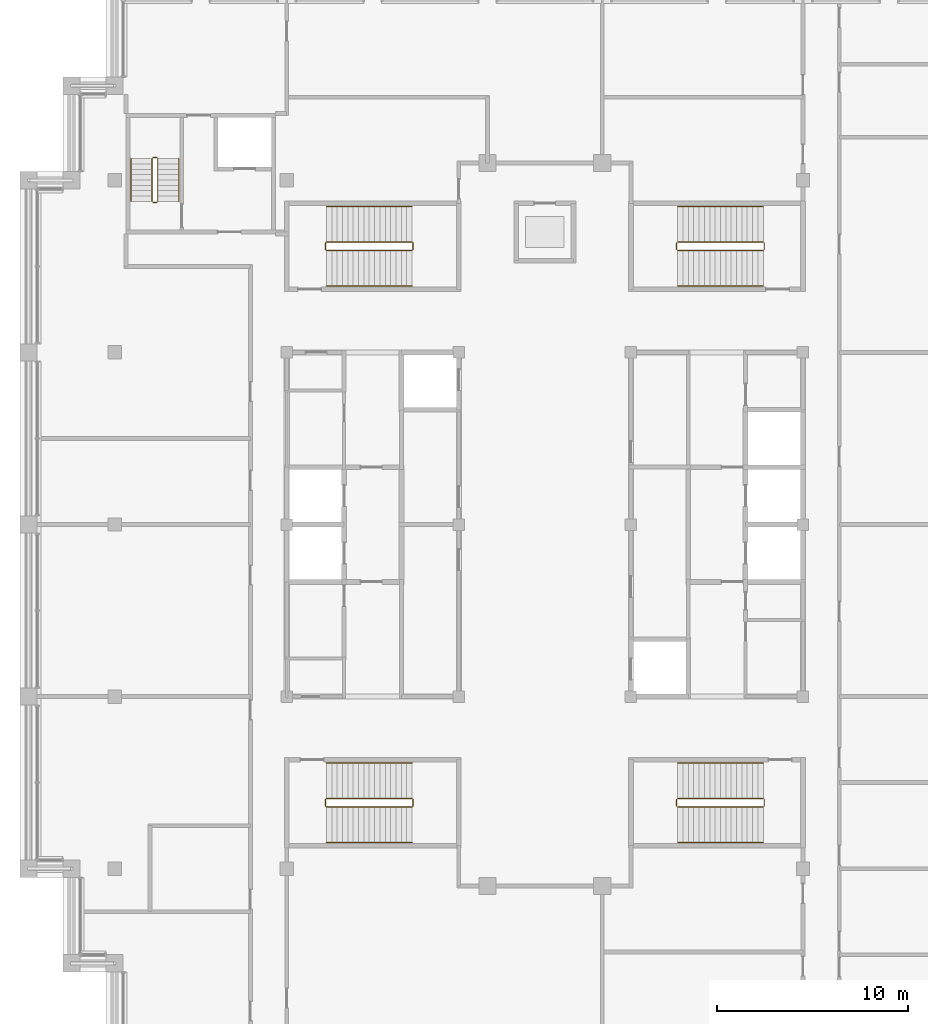
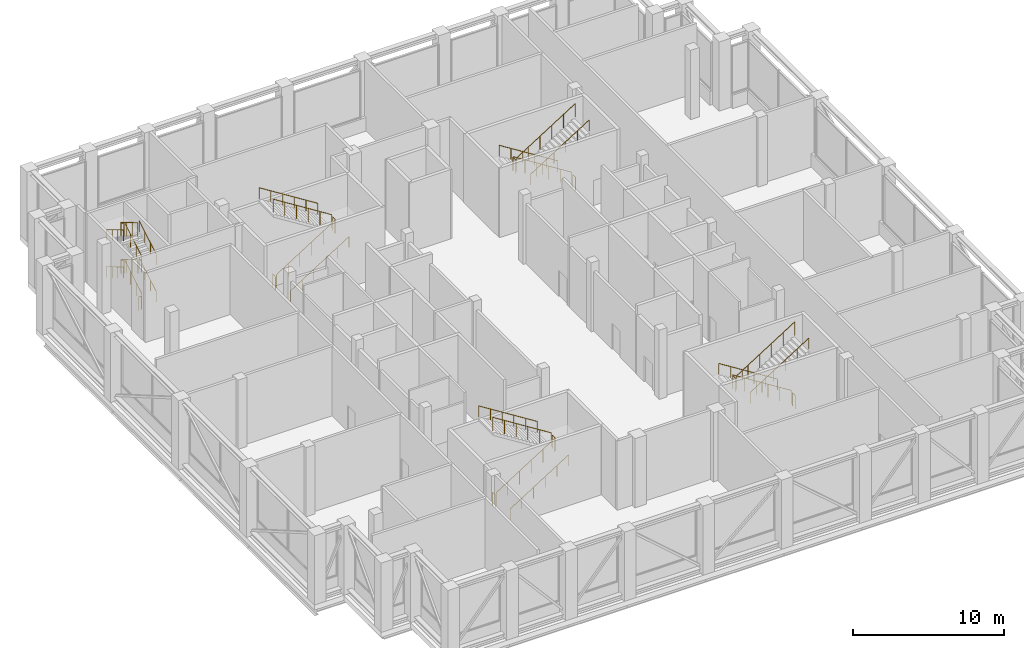
# One storey, part 16 of 17: 5 railings.
"""IFC4 building model written with IfcOpenShell, lengths in metres."""

from ifc_helpers import new_model, si_unit, direction, frame, origin, origin_2d, place, context, subcontext, project, spatial, circle, extrude, material, type_object, element, save


model = new_model("IFC4")

# Units and contexts
model_context = context("Model", 3, precision=1e-05, world=origin(), true_north=direction((0.0, 1.0)))
body_context = subcontext(model_context, "Body", "Model", "MODEL_VIEW")
ifc_project = project(units=[si_unit("LENGTHUNIT", "METRE"), si_unit("AREAUNIT", "SQUARE_METRE"), si_unit("VOLUMEUNIT", "CUBIC_METRE"), si_unit("PLANEANGLEUNIT", "RADIAN"), si_unit("MASSUNIT", "GRAM", prefix="KILO")], contexts=[model_context])

# Site, building, storey
site_placement = place(None, origin())
site = spatial("IfcSite", under=ifc_project, at=site_placement, CompositionType="ELEMENT")
building_placement = place(site_placement, origin())
building = spatial("IfcBuilding", under=site, at=building_placement, Name="Corbelhall Arena Tower", CompositionType="ELEMENT")
storey_placement = place(building_placement, frame((0.0, 0.0, 350.0)))
storey = spatial("IfcBuildingStorey", under=building, at=storey_placement, Name="L77", CompositionType="ELEMENT", Elevation=350.0)

# Railings
ifc_material = material(Name="Steel ASTM A500 Gr C", Category="steel")
railing_type = type_object("IfcRailingType", Name="IN-GD-1100", PredefinedType="GUARDRAIL", material=ifc_material)
railing_1_placement = place(storey_placement, frame((-11.425048828125, 14.324951171875, 0.176513671875)))
element("IfcRailing", 1, at=railing_1_placement, inside=storey, type_object=railing_type, Name="L77 ST1 stair guards and handrails", PredefinedType="GUARDRAIL", context=body_context, shape_type="SweptSolid", body=[
    extrude(circle(Radius=0.02392578125, at=origin_2d()), frame((0.0, 0.0, 1.076171875), z_axis=(0.845997938375, 0.0, 0.533186166611), x_axis=(0.0, 1.0, 0.0)), (0.0, 0.0, 1.0), 5.29541015625),
    extrude(circle(Radius=0.02392578125, at=origin_2d()), frame((4.530029296875, 0.050048828125, 3.8994140625), z_axis=(0.0, 1.0, 0.0), x_axis=(-1.0, 0.0, 0.0)), (0.0, 0.0, 1.0), 0.35009765625),
    extrude(circle(Radius=0.02392578125, at=origin_2d()), frame((4.47998046875, 0.449951171875, 4.076171875), z_axis=(-0.845997938375, 0.0, 0.533186166611), x_axis=(0.0, -1.0, 0.0)), (0.0, 0.0, 1.0), 5.29541015625),
    extrude(circle(Radius=0.02392578125, at=origin_2d()), frame((-0.050048828125, 0.050048828125, 0.8994140625), z_axis=(0.0, 1.0, 0.0), x_axis=(-1.0, 0.0, 0.0)), (0.0, 0.0, 1.0), 0.35009765625),
    extrude(circle(Radius=0.02392578125, at=origin_2d()), frame((0.0, -1.849853515625, 0.8759765625), z_axis=(0.845997938375, 0.0, 0.533186166611), x_axis=(0.0, 1.0, 0.0)), (0.0, 0.0, 1.0), 5.29541015625),
    extrude(circle(Radius=0.02392578125, at=origin_2d()), frame((4.47998046875, 2.300048828125, 3.8759765625), z_axis=(-0.845997938375, 0.0, 0.533186166611), x_axis=(0.0, -1.0, 0.0)), (0.0, 0.0, 1.0), 5.29541015625),
    extrude(circle(Radius=0.02099609375, at=origin_2d()), origin(), (0.0, 0.0, 1.0), 1.052001953125),
    extrude(circle(Radius=0.02099609375, at=origin_2d()), frame((0.89599609375, 0.0, 0.564697265625)), (0.0, 0.0, 1.0), 1.052001953125),
    extrude(circle(Radius=0.02099609375, at=origin_2d()), frame((1.7919921875, 0.0, 1.12939453125)), (0.0, 0.0, 1.0), 1.052001953125),
    extrude(circle(Radius=0.02099609375, at=origin_2d()), frame((2.68798828125, 0.0, 1.694091796875)), (0.0, 0.0, 1.0), 1.052001953125),
    extrude(circle(Radius=0.02099609375, at=origin_2d()), frame((3.583984375, 0.0, 2.2587890625)), (0.0, 0.0, 1.0), 1.052001953125),
    extrude(circle(Radius=0.02099609375, at=origin_2d()), frame((4.47998046875, 0.0, 2.823486328125)), (0.0, 0.0, 1.0), 1.052001953125),
    extrude(circle(Radius=0.02099609375, at=origin_2d()), frame((4.530029296875, 0.050048828125, 2.823486328125)), (0.0, 0.0, 1.0), 1.052001953125),
    extrude(circle(Radius=0.02099609375, at=origin_2d()), frame((4.530029296875, 0.400146484375, 2.823486328125)), (0.0, 0.0, 1.0), 1.052001953125),
    extrude(circle(Radius=0.02099609375, at=origin_2d()), frame((4.47998046875, 0.449951171875, 3.0)), (0.0, 0.0, 1.0), 1.052001953125),
    extrude(circle(Radius=0.02099609375, at=origin_2d()), frame((3.583984375, 0.449951171875, 3.564697265625)), (0.0, 0.0, 1.0), 1.052001953125),
    extrude(circle(Radius=0.02099609375, at=origin_2d()), frame((2.68798828125, 0.449951171875, 4.12939453125)), (0.0, 0.0, 1.0), 1.052001953125),
    extrude(circle(Radius=0.02099609375, at=origin_2d()), frame((1.7919921875, 0.449951171875, 4.694091796875)), (0.0, 0.0, 1.0), 1.052001953125),
    extrude(circle(Radius=0.02099609375, at=origin_2d()), frame((0.89599609375, 0.449951171875, 5.2587890625)), (0.0, 0.0, 1.0), 1.052001953125),
    extrude(circle(Radius=0.02099609375, at=origin_2d()), frame((0.0, 0.449951171875, 5.823486328125)), (0.0, 0.0, 1.0), 1.052001953125),
    extrude(circle(Radius=0.02099609375, at=origin_2d()), frame((-0.050048828125, 0.050048828125, -0.176513671875)), (0.0, 0.0, 1.0), 1.052001953125),
    extrude(circle(Radius=0.02099609375, at=origin_2d()), frame((-0.050048828125, 0.400146484375, -0.176513671875)), (0.0, 0.0, 1.0), 1.052001953125),
    extrude(circle(Radius=0.02099609375, at=origin_2d()), frame((0.0, -1.849853515625, 0.0)), (0.0, 0.0, 1.0), 0.851806640625),
    extrude(circle(Radius=0.02099609375, at=origin_2d()), frame((0.89599609375, -1.849853515625, 0.564697265625)), (0.0, 0.0, 1.0), 0.851806640625),
    extrude(circle(Radius=0.02099609375, at=origin_2d()), frame((1.7919921875, -1.849853515625, 1.12939453125)), (0.0, 0.0, 1.0), 0.851806640625),
    extrude(circle(Radius=0.02099609375, at=origin_2d()), frame((2.68798828125, -1.849853515625, 1.694091796875)), (0.0, 0.0, 1.0), 0.851806640625),
    extrude(circle(Radius=0.02099609375, at=origin_2d()), frame((3.583984375, -1.849853515625, 2.2587890625)), (0.0, 0.0, 1.0), 0.851806640625),
    extrude(circle(Radius=0.02099609375, at=origin_2d()), frame((4.47998046875, -1.849853515625, 2.823486328125)), (0.0, 0.0, 1.0), 0.851806640625),
    extrude(circle(Radius=0.02099609375, at=origin_2d()), frame((4.47998046875, 2.300048828125, 3.0)), (0.0, 0.0, 1.0), 0.851806640625),
    extrude(circle(Radius=0.02099609375, at=origin_2d()), frame((3.583984375, 2.300048828125, 3.564697265625)), (0.0, 0.0, 1.0), 0.851806640625),
    extrude(circle(Radius=0.02099609375, at=origin_2d()), frame((2.68798828125, 2.300048828125, 4.12939453125)), (0.0, 0.0, 1.0), 0.851806640625),
    extrude(circle(Radius=0.02099609375, at=origin_2d()), frame((1.7919921875, 2.300048828125, 4.694091796875)), (0.0, 0.0, 1.0), 0.851806640625),
    extrude(circle(Radius=0.02099609375, at=origin_2d()), frame((0.89599609375, 2.300048828125, 5.2587890625)), (0.0, 0.0, 1.0), 0.851806640625),
    extrude(circle(Radius=0.02099609375, at=origin_2d()), frame((0.0, 2.300048828125, 5.823486328125)), (0.0, 0.0, 1.0), 0.851806640625),
])
railing_2_placement = place(storey_placement, frame((-11.425048828125, -14.77490234375, 0.176513671875)))
element("IfcRailing", 2, at=railing_2_placement, inside=storey, type_object=railing_type, Name="L77 ST2 stair guards and handrails", PredefinedType="GUARDRAIL", context=body_context, shape_type="SweptSolid", body=[
    extrude(circle(Radius=0.02392578125, at=origin_2d()), frame((0.0, 0.0, 1.076171875), z_axis=(0.845997938375, 0.0, 0.533186166611), x_axis=(0.0, 1.0, 0.0)), (0.0, 0.0, 1.0), 5.29541015625),
    extrude(circle(Radius=0.02392578125, at=origin_2d()), frame((4.530029296875, 0.0498046875, 3.8994140625), z_axis=(0.0, 1.0, 0.0), x_axis=(-1.0, 0.0, 0.0)), (0.0, 0.0, 1.0), 0.35009765625),
    extrude(circle(Radius=0.02392578125, at=origin_2d()), frame((4.47998046875, 0.449951171875, 4.076171875), z_axis=(-0.845997938375, 0.0, 0.533186166611), x_axis=(0.0, -1.0, 0.0)), (0.0, 0.0, 1.0), 5.29541015625),
    extrude(circle(Radius=0.02392578125, at=origin_2d()), frame((-0.050048828125, 0.0498046875, 0.8994140625), z_axis=(0.0, 1.0, 0.0), x_axis=(-1.0, 0.0, 0.0)), (0.0, 0.0, 1.0), 0.35009765625),
    extrude(circle(Radius=0.02392578125, at=origin_2d()), frame((0.0, -1.85009765625, 0.8759765625), z_axis=(0.845997938375, 0.0, 0.533186166611), x_axis=(0.0, 1.0, 0.0)), (0.0, 0.0, 1.0), 5.29541015625),
    extrude(circle(Radius=0.02392578125, at=origin_2d()), frame((4.47998046875, 2.2998046875, 3.8759765625), z_axis=(-0.845997938375, 0.0, 0.533186166611), x_axis=(0.0, -1.0, 0.0)), (0.0, 0.0, 1.0), 5.29541015625),
    extrude(circle(Radius=0.02099609375, at=origin_2d()), origin(), (0.0, 0.0, 1.0), 1.052001953125),
    extrude(circle(Radius=0.02099609375, at=origin_2d()), frame((0.89599609375, 0.0, 0.564697265625)), (0.0, 0.0, 1.0), 1.052001953125),
    extrude(circle(Radius=0.02099609375, at=origin_2d()), frame((1.7919921875, 0.0, 1.12939453125)), (0.0, 0.0, 1.0), 1.052001953125),
    extrude(circle(Radius=0.02099609375, at=origin_2d()), frame((2.68798828125, 0.0, 1.694091796875)), (0.0, 0.0, 1.0), 1.052001953125),
    extrude(circle(Radius=0.02099609375, at=origin_2d()), frame((3.583984375, 0.0, 2.2587890625)), (0.0, 0.0, 1.0), 1.052001953125),
    extrude(circle(Radius=0.02099609375, at=origin_2d()), frame((4.47998046875, 0.0, 2.823486328125)), (0.0, 0.0, 1.0), 1.052001953125),
    extrude(circle(Radius=0.02099609375, at=origin_2d()), frame((4.530029296875, 0.0498046875, 2.823486328125)), (0.0, 0.0, 1.0), 1.052001953125),
    extrude(circle(Radius=0.02099609375, at=origin_2d()), frame((4.530029296875, 0.39990234375, 2.823486328125)), (0.0, 0.0, 1.0), 1.052001953125),
    extrude(circle(Radius=0.02099609375, at=origin_2d()), frame((4.47998046875, 0.449951171875, 3.0)), (0.0, 0.0, 1.0), 1.052001953125),
    extrude(circle(Radius=0.02099609375, at=origin_2d()), frame((3.583984375, 0.449951171875, 3.564697265625)), (0.0, 0.0, 1.0), 1.052001953125),
    extrude(circle(Radius=0.02099609375, at=origin_2d()), frame((2.68798828125, 0.449951171875, 4.12939453125)), (0.0, 0.0, 1.0), 1.052001953125),
    extrude(circle(Radius=0.02099609375, at=origin_2d()), frame((1.7919921875, 0.449951171875, 4.694091796875)), (0.0, 0.0, 1.0), 1.052001953125),
    extrude(circle(Radius=0.02099609375, at=origin_2d()), frame((0.89599609375, 0.449951171875, 5.2587890625)), (0.0, 0.0, 1.0), 1.052001953125),
    extrude(circle(Radius=0.02099609375, at=origin_2d()), frame((0.0, 0.449951171875, 5.823486328125)), (0.0, 0.0, 1.0), 1.052001953125),
    extrude(circle(Radius=0.02099609375, at=origin_2d()), frame((-0.050048828125, 0.0498046875, -0.176513671875)), (0.0, 0.0, 1.0), 1.052001953125),
    extrude(circle(Radius=0.02099609375, at=origin_2d()), frame((-0.050048828125, 0.39990234375, -0.176513671875)), (0.0, 0.0, 1.0), 1.052001953125),
    extrude(circle(Radius=0.02099609375, at=origin_2d()), frame((0.0, -1.85009765625, 0.0)), (0.0, 0.0, 1.0), 0.851806640625),
    extrude(circle(Radius=0.02099609375, at=origin_2d()), frame((0.89599609375, -1.85009765625, 0.564697265625)), (0.0, 0.0, 1.0), 0.851806640625),
    extrude(circle(Radius=0.02099609375, at=origin_2d()), frame((1.7919921875, -1.85009765625, 1.12939453125)), (0.0, 0.0, 1.0), 0.851806640625),
    extrude(circle(Radius=0.02099609375, at=origin_2d()), frame((2.68798828125, -1.85009765625, 1.694091796875)), (0.0, 0.0, 1.0), 0.851806640625),
    extrude(circle(Radius=0.02099609375, at=origin_2d()), frame((3.583984375, -1.85009765625, 2.2587890625)), (0.0, 0.0, 1.0), 0.851806640625),
    extrude(circle(Radius=0.02099609375, at=origin_2d()), frame((4.47998046875, -1.85009765625, 2.823486328125)), (0.0, 0.0, 1.0), 0.851806640625),
    extrude(circle(Radius=0.02099609375, at=origin_2d()), frame((4.47998046875, 2.2998046875, 3.0)), (0.0, 0.0, 1.0), 0.851806640625),
    extrude(circle(Radius=0.02099609375, at=origin_2d()), frame((3.583984375, 2.2998046875, 3.564697265625)), (0.0, 0.0, 1.0), 0.851806640625),
    extrude(circle(Radius=0.02099609375, at=origin_2d()), frame((2.68798828125, 2.2998046875, 4.12939453125)), (0.0, 0.0, 1.0), 0.851806640625),
    extrude(circle(Radius=0.02099609375, at=origin_2d()), frame((1.7919921875, 2.2998046875, 4.694091796875)), (0.0, 0.0, 1.0), 0.851806640625),
    extrude(circle(Radius=0.02099609375, at=origin_2d()), frame((0.89599609375, 2.2998046875, 5.2587890625)), (0.0, 0.0, 1.0), 0.851806640625),
    extrude(circle(Radius=0.02099609375, at=origin_2d()), frame((0.0, 2.2998046875, 5.823486328125)), (0.0, 0.0, 1.0), 0.851806640625),
])
railing_3_placement = place(storey_placement, frame((11.425048828125, 14.77490234375, 0.176513671875)))
element("IfcRailing", 3, at=railing_3_placement, inside=storey, type_object=railing_type, Name="L77 ST3 stair guards and handrails", PredefinedType="GUARDRAIL", context=body_context, shape_type="SweptSolid", body=[
    extrude(circle(Radius=0.02392578125, at=origin_2d()), frame((0.0, 0.0, 1.076171875), z_axis=(-0.845997938375, 0.0, 0.533186166611), x_axis=(0.0, -1.0, 0.0)), (0.0, 0.0, 1.0), 5.29541015625),
    extrude(circle(Radius=0.02392578125, at=origin_2d()), frame((-4.530029296875, -0.0498046875, 3.8994140625), z_axis=(0.0, -1.0, 0.0), x_axis=(1.0, 0.0, 0.0)), (0.0, 0.0, 1.0), 0.35009765625),
    extrude(circle(Radius=0.02392578125, at=origin_2d()), frame((-4.47998046875, -0.449951171875, 4.076171875), z_axis=(0.845997938375, 0.0, 0.533186166611), x_axis=(0.0, 1.0, 0.0)), (0.0, 0.0, 1.0), 5.29541015625),
    extrude(circle(Radius=0.02392578125, at=origin_2d()), frame((0.050048828125, -0.0498046875, 0.8994140625), z_axis=(0.0, -1.0, 0.0), x_axis=(1.0, 0.0, 0.0)), (0.0, 0.0, 1.0), 0.35009765625),
    extrude(circle(Radius=0.02392578125, at=origin_2d()), frame((0.0, 1.85009765625, 0.8759765625), z_axis=(-0.845997938375, 0.0, 0.533186166611), x_axis=(0.0, -1.0, 0.0)), (0.0, 0.0, 1.0), 5.29541015625),
    extrude(circle(Radius=0.02392578125, at=origin_2d()), frame((-4.47998046875, -2.2998046875, 3.8759765625), z_axis=(0.845997938375, 0.0, 0.533186166611), x_axis=(0.0, 1.0, 0.0)), (0.0, 0.0, 1.0), 5.29541015625),
    extrude(circle(Radius=0.02099609375, at=origin_2d()), origin(), (0.0, 0.0, 1.0), 1.052001953125),
    extrude(circle(Radius=0.02099609375, at=origin_2d()), frame((-0.89599609375, 0.0, 0.564697265625)), (0.0, 0.0, 1.0), 1.052001953125),
    extrude(circle(Radius=0.02099609375, at=origin_2d()), frame((-1.7919921875, 0.0, 1.12939453125)), (0.0, 0.0, 1.0), 1.052001953125),
    extrude(circle(Radius=0.02099609375, at=origin_2d()), frame((-2.68798828125, 0.0, 1.694091796875)), (0.0, 0.0, 1.0), 1.052001953125),
    extrude(circle(Radius=0.02099609375, at=origin_2d()), frame((-3.583984375, 0.0, 2.2587890625)), (0.0, 0.0, 1.0), 1.052001953125),
    extrude(circle(Radius=0.02099609375, at=origin_2d()), frame((-4.47998046875, 0.0, 2.823486328125)), (0.0, 0.0, 1.0), 1.052001953125),
    extrude(circle(Radius=0.02099609375, at=origin_2d()), frame((-4.530029296875, -0.0498046875, 2.823486328125)), (0.0, 0.0, 1.0), 1.052001953125),
    extrude(circle(Radius=0.02099609375, at=origin_2d()), frame((-4.530029296875, -0.39990234375, 2.823486328125)), (0.0, 0.0, 1.0), 1.052001953125),
    extrude(circle(Radius=0.02099609375, at=origin_2d()), frame((-4.47998046875, -0.449951171875, 3.0)), (0.0, 0.0, 1.0), 1.052001953125),
    extrude(circle(Radius=0.02099609375, at=origin_2d()), frame((-3.583984375, -0.449951171875, 3.564697265625)), (0.0, 0.0, 1.0), 1.052001953125),
    extrude(circle(Radius=0.02099609375, at=origin_2d()), frame((-2.68798828125, -0.449951171875, 4.12939453125)), (0.0, 0.0, 1.0), 1.052001953125),
    extrude(circle(Radius=0.02099609375, at=origin_2d()), frame((-1.7919921875, -0.449951171875, 4.694091796875)), (0.0, 0.0, 1.0), 1.052001953125),
    extrude(circle(Radius=0.02099609375, at=origin_2d()), frame((-0.89599609375, -0.449951171875, 5.2587890625)), (0.0, 0.0, 1.0), 1.052001953125),
    extrude(circle(Radius=0.02099609375, at=origin_2d()), frame((0.0, -0.449951171875, 5.823486328125)), (0.0, 0.0, 1.0), 1.052001953125),
    extrude(circle(Radius=0.02099609375, at=origin_2d()), frame((0.050048828125, -0.0498046875, -0.176513671875)), (0.0, 0.0, 1.0), 1.052001953125),
    extrude(circle(Radius=0.02099609375, at=origin_2d()), frame((0.050048828125, -0.39990234375, -0.176513671875)), (0.0, 0.0, 1.0), 1.052001953125),
    extrude(circle(Radius=0.02099609375, at=origin_2d()), frame((0.0, 1.85009765625, 0.0)), (0.0, 0.0, 1.0), 0.851806640625),
    extrude(circle(Radius=0.02099609375, at=origin_2d()), frame((-0.89599609375, 1.85009765625, 0.564697265625)), (0.0, 0.0, 1.0), 0.851806640625),
    extrude(circle(Radius=0.02099609375, at=origin_2d()), frame((-1.7919921875, 1.85009765625, 1.12939453125)), (0.0, 0.0, 1.0), 0.851806640625),
    extrude(circle(Radius=0.02099609375, at=origin_2d()), frame((-2.68798828125, 1.85009765625, 1.694091796875)), (0.0, 0.0, 1.0), 0.851806640625),
    extrude(circle(Radius=0.02099609375, at=origin_2d()), frame((-3.583984375, 1.85009765625, 2.2587890625)), (0.0, 0.0, 1.0), 0.851806640625),
    extrude(circle(Radius=0.02099609375, at=origin_2d()), frame((-4.47998046875, 1.85009765625, 2.823486328125)), (0.0, 0.0, 1.0), 0.851806640625),
    extrude(circle(Radius=0.02099609375, at=origin_2d()), frame((-4.47998046875, -2.2998046875, 3.0)), (0.0, 0.0, 1.0), 0.851806640625),
    extrude(circle(Radius=0.02099609375, at=origin_2d()), frame((-3.583984375, -2.2998046875, 3.564697265625)), (0.0, 0.0, 1.0), 0.851806640625),
    extrude(circle(Radius=0.02099609375, at=origin_2d()), frame((-2.68798828125, -2.2998046875, 4.12939453125)), (0.0, 0.0, 1.0), 0.851806640625),
    extrude(circle(Radius=0.02099609375, at=origin_2d()), frame((-1.7919921875, -2.2998046875, 4.694091796875)), (0.0, 0.0, 1.0), 0.851806640625),
    extrude(circle(Radius=0.02099609375, at=origin_2d()), frame((-0.89599609375, -2.2998046875, 5.2587890625)), (0.0, 0.0, 1.0), 0.851806640625),
    extrude(circle(Radius=0.02099609375, at=origin_2d()), frame((0.0, -2.2998046875, 5.823486328125)), (0.0, 0.0, 1.0), 0.851806640625),
])
railing_4_placement = place(storey_placement, frame((11.425048828125, -14.324951171875, 0.176513671875)))
element("IfcRailing", 4, at=railing_4_placement, inside=storey, type_object=railing_type, Name="L77 ST4 stair guards and handrails", PredefinedType="GUARDRAIL", context=body_context, shape_type="SweptSolid", body=[
    extrude(circle(Radius=0.02392578125, at=origin_2d()), frame((0.0, 0.0, 1.076171875), z_axis=(-0.845997938375, 0.0, 0.533186166611), x_axis=(0.0, -1.0, 0.0)), (0.0, 0.0, 1.0), 5.29541015625),
    extrude(circle(Radius=0.02392578125, at=origin_2d()), frame((-4.530029296875, -0.050048828125, 3.8994140625), z_axis=(0.0, -1.0, 0.0), x_axis=(1.0, 0.0, 0.0)), (0.0, 0.0, 1.0), 0.35009765625),
    extrude(circle(Radius=0.02392578125, at=origin_2d()), frame((-4.47998046875, -0.449951171875, 4.076171875), z_axis=(0.845997938375, 0.0, 0.533186166611), x_axis=(0.0, 1.0, 0.0)), (0.0, 0.0, 1.0), 5.29541015625),
    extrude(circle(Radius=0.02392578125, at=origin_2d()), frame((0.050048828125, -0.050048828125, 0.8994140625), z_axis=(0.0, -1.0, 0.0), x_axis=(1.0, 0.0, 0.0)), (0.0, 0.0, 1.0), 0.35009765625),
    extrude(circle(Radius=0.02392578125, at=origin_2d()), frame((0.0, 1.849853515625, 0.8759765625), z_axis=(-0.845997938375, 0.0, 0.533186166611), x_axis=(0.0, -1.0, 0.0)), (0.0, 0.0, 1.0), 5.29541015625),
    extrude(circle(Radius=0.02392578125, at=origin_2d()), frame((-4.47998046875, -2.300048828125, 3.8759765625), z_axis=(0.845997938375, 0.0, 0.533186166611), x_axis=(0.0, 1.0, 0.0)), (0.0, 0.0, 1.0), 5.29541015625),
    extrude(circle(Radius=0.02099609375, at=origin_2d()), origin(), (0.0, 0.0, 1.0), 1.052001953125),
    extrude(circle(Radius=0.02099609375, at=origin_2d()), frame((-0.89599609375, 0.0, 0.564697265625)), (0.0, 0.0, 1.0), 1.052001953125),
    extrude(circle(Radius=0.02099609375, at=origin_2d()), frame((-1.7919921875, 0.0, 1.12939453125)), (0.0, 0.0, 1.0), 1.052001953125),
    extrude(circle(Radius=0.02099609375, at=origin_2d()), frame((-2.68798828125, 0.0, 1.694091796875)), (0.0, 0.0, 1.0), 1.052001953125),
    extrude(circle(Radius=0.02099609375, at=origin_2d()), frame((-3.583984375, 0.0, 2.2587890625)), (0.0, 0.0, 1.0), 1.052001953125),
    extrude(circle(Radius=0.02099609375, at=origin_2d()), frame((-4.47998046875, 0.0, 2.823486328125)), (0.0, 0.0, 1.0), 1.052001953125),
    extrude(circle(Radius=0.02099609375, at=origin_2d()), frame((-4.530029296875, -0.050048828125, 2.823486328125)), (0.0, 0.0, 1.0), 1.052001953125),
    extrude(circle(Radius=0.02099609375, at=origin_2d()), frame((-4.530029296875, -0.400146484375, 2.823486328125)), (0.0, 0.0, 1.0), 1.052001953125),
    extrude(circle(Radius=0.02099609375, at=origin_2d()), frame((-4.47998046875, -0.449951171875, 3.0)), (0.0, 0.0, 1.0), 1.052001953125),
    extrude(circle(Radius=0.02099609375, at=origin_2d()), frame((-3.583984375, -0.449951171875, 3.564697265625)), (0.0, 0.0, 1.0), 1.052001953125),
    extrude(circle(Radius=0.02099609375, at=origin_2d()), frame((-2.68798828125, -0.449951171875, 4.12939453125)), (0.0, 0.0, 1.0), 1.052001953125),
    extrude(circle(Radius=0.02099609375, at=origin_2d()), frame((-1.7919921875, -0.449951171875, 4.694091796875)), (0.0, 0.0, 1.0), 1.052001953125),
    extrude(circle(Radius=0.02099609375, at=origin_2d()), frame((-0.89599609375, -0.449951171875, 5.2587890625)), (0.0, 0.0, 1.0), 1.052001953125),
    extrude(circle(Radius=0.02099609375, at=origin_2d()), frame((0.0, -0.449951171875, 5.823486328125)), (0.0, 0.0, 1.0), 1.052001953125),
    extrude(circle(Radius=0.02099609375, at=origin_2d()), frame((0.050048828125, -0.050048828125, -0.176513671875)), (0.0, 0.0, 1.0), 1.052001953125),
    extrude(circle(Radius=0.02099609375, at=origin_2d()), frame((0.050048828125, -0.400146484375, -0.176513671875)), (0.0, 0.0, 1.0), 1.052001953125),
    extrude(circle(Radius=0.02099609375, at=origin_2d()), frame((0.0, 1.849853515625, 0.0)), (0.0, 0.0, 1.0), 0.851806640625),
    extrude(circle(Radius=0.02099609375, at=origin_2d()), frame((-0.89599609375, 1.849853515625, 0.564697265625)), (0.0, 0.0, 1.0), 0.851806640625),
    extrude(circle(Radius=0.02099609375, at=origin_2d()), frame((-1.7919921875, 1.849853515625, 1.12939453125)), (0.0, 0.0, 1.0), 0.851806640625),
    extrude(circle(Radius=0.02099609375, at=origin_2d()), frame((-2.68798828125, 1.849853515625, 1.694091796875)), (0.0, 0.0, 1.0), 0.851806640625),
    extrude(circle(Radius=0.02099609375, at=origin_2d()), frame((-3.583984375, 1.849853515625, 2.2587890625)), (0.0, 0.0, 1.0), 0.851806640625),
    extrude(circle(Radius=0.02099609375, at=origin_2d()), frame((-4.47998046875, 1.849853515625, 2.823486328125)), (0.0, 0.0, 1.0), 0.851806640625),
    extrude(circle(Radius=0.02099609375, at=origin_2d()), frame((-4.47998046875, -2.300048828125, 3.0)), (0.0, 0.0, 1.0), 0.851806640625),
    extrude(circle(Radius=0.02099609375, at=origin_2d()), frame((-3.583984375, -2.300048828125, 3.564697265625)), (0.0, 0.0, 1.0), 0.851806640625),
    extrude(circle(Radius=0.02099609375, at=origin_2d()), frame((-2.68798828125, -2.300048828125, 4.12939453125)), (0.0, 0.0, 1.0), 0.851806640625),
    extrude(circle(Radius=0.02099609375, at=origin_2d()), frame((-1.7919921875, -2.300048828125, 4.694091796875)), (0.0, 0.0, 1.0), 0.851806640625),
    extrude(circle(Radius=0.02099609375, at=origin_2d()), frame((-0.89599609375, -2.300048828125, 5.2587890625)), (0.0, 0.0, 1.0), 0.851806640625),
    extrude(circle(Radius=0.02099609375, at=origin_2d()), frame((0.0, -2.300048828125, 5.823486328125)), (0.0, 0.0, 1.0), 0.851806640625),
])
railing_5_placement = place(storey_placement, frame((-20.2451171875, 16.89990234375, 0.166748046875)))
element("IfcRailing", 5, at=railing_5_placement, inside=storey, type_object=railing_type, Name="L77 ST5 stair guards and handrails", PredefinedType="GUARDRAIL", context=body_context, shape_type="SweptSolid", body=[
    extrude(circle(Radius=0.02392578125, at=origin_2d()), frame((0.0, 0.0, 1.076171875), z_axis=(0.0, 0.859305625298, 0.511462454469), x_axis=(-1.0, 0.0, 0.0)), (0.0, 0.0, 1.0), 2.606689453125),
    extrude(circle(Radius=0.02392578125, at=origin_2d()), frame((-0.0498046875, 2.2900390625, 2.4091796875), z_axis=(-1.0, 0.0, 0.0), x_axis=(0.0, -1.0, 0.0)), (0.0, 0.0, 1.0), 0.2001953125),
    extrude(circle(Radius=0.02392578125, at=origin_2d()), frame((-0.2998046875, 2.239990234375, 2.576171875), z_axis=(0.0, -0.859305625298, 0.511462454469), x_axis=(1.0, 0.0, 0.0)), (0.0, 0.0, 1.0), 2.606689453125),
    extrude(circle(Radius=0.02392578125, at=origin_2d()), frame((-0.0498046875, -0.0498046875, 3.9091796875), z_axis=(-1.0, 0.0, 0.0), x_axis=(0.0, -1.0, 0.0)), (0.0, 0.0, 1.0), 0.2001953125),
    extrude(circle(Radius=0.02392578125, at=origin_2d()), frame((0.0, 0.0, 4.076171875), z_axis=(0.0, 0.859305625298, 0.511462454469), x_axis=(-1.0, 0.0, 0.0)), (0.0, 0.0, 1.0), 2.606689453125),
    extrude(circle(Radius=0.02392578125, at=origin_2d()), frame((-0.0498046875, 2.2900390625, 5.4091796875), z_axis=(-1.0, 0.0, 0.0), x_axis=(0.0, -1.0, 0.0)), (0.0, 0.0, 1.0), 0.2001953125),
    extrude(circle(Radius=0.02392578125, at=origin_2d()), frame((-0.2998046875, 2.239990234375, 5.576171875), z_axis=(0.0, -0.859305625298, 0.511462454469), x_axis=(1.0, 0.0, 0.0)), (0.0, 0.0, 1.0), 2.606689453125),
    extrude(circle(Radius=0.02392578125, at=origin_2d()), frame((-0.0498046875, -0.0498046875, 0.9091796875), z_axis=(-1.0, 0.0, 0.0), x_axis=(0.0, -1.0, 0.0)), (0.0, 0.0, 1.0), 0.2001953125),
    extrude(circle(Radius=0.02392578125, at=origin_2d()), frame((1.10009765625, 0.0, 0.8759765625), z_axis=(0.0, 0.859305625298, 0.511462454469), x_axis=(-1.0, 0.0, 0.0)), (0.0, 0.0, 1.0), 2.606689453125),
    extrude(circle(Radius=0.02392578125, at=origin_2d()), frame((-1.39990234375, 2.239990234375, 2.3759765625), z_axis=(0.0, -0.859305625298, 0.511462454469), x_axis=(1.0, 0.0, 0.0)), (0.0, 0.0, 1.0), 2.606689453125),
    extrude(circle(Radius=0.02392578125, at=origin_2d()), frame((1.10009765625, 0.0, 3.8759765625), z_axis=(0.0, 0.859305625298, 0.511462454469), x_axis=(-1.0, 0.0, 0.0)), (0.0, 0.0, 1.0), 2.606689453125),
    extrude(circle(Radius=0.02392578125, at=origin_2d()), frame((-1.39990234375, 2.239990234375, 5.3759765625), z_axis=(0.0, -0.859305625298, 0.511462454469), x_axis=(1.0, 0.0, 0.0)), (0.0, 0.0, 1.0), 2.606689453125),
    extrude(circle(Radius=0.02099609375, at=origin_2d()), origin(), (0.0, 0.0, 1.0), 1.052001953125),
    extrude(circle(Radius=0.02099609375, at=origin_2d()), frame((0.0, 0.74658203125, 0.4443359375)), (0.0, 0.0, 1.0), 1.052001953125),
    extrude(circle(Radius=0.02099609375, at=origin_2d()), frame((0.0, 1.493408203125, 0.888916015625)), (0.0, 0.0, 1.0), 1.052001953125),
    extrude(circle(Radius=0.02099609375, at=origin_2d()), frame((0.0, 2.239990234375, 1.333251953125)), (0.0, 0.0, 1.0), 1.052001953125),
    extrude(circle(Radius=0.02099609375, at=origin_2d()), frame((-0.0498046875, 2.2900390625, 1.333251953125)), (0.0, 0.0, 1.0), 1.052001953125),
    extrude(circle(Radius=0.02099609375, at=origin_2d()), frame((-0.25, 2.2900390625, 1.333251953125)), (0.0, 0.0, 1.0), 1.052001953125),
    extrude(circle(Radius=0.02099609375, at=origin_2d()), frame((-0.2998046875, 2.239990234375, 1.5)), (0.0, 0.0, 1.0), 1.052001953125),
    extrude(circle(Radius=0.02099609375, at=origin_2d()), frame((-0.2998046875, 1.493408203125, 1.9443359375)), (0.0, 0.0, 1.0), 1.052001953125),
    extrude(circle(Radius=0.02099609375, at=origin_2d()), frame((-0.2998046875, 0.74658203125, 2.388916015625)), (0.0, 0.0, 1.0), 1.052001953125),
    extrude(circle(Radius=0.02099609375, at=origin_2d()), frame((-0.2998046875, 0.0, 2.833251953125)), (0.0, 0.0, 1.0), 1.052001953125),
    extrude(circle(Radius=0.02099609375, at=origin_2d()), frame((-0.0498046875, -0.0498046875, 2.833251953125)), (0.0, 0.0, 1.0), 1.052001953125),
    extrude(circle(Radius=0.02099609375, at=origin_2d()), frame((-0.25, -0.0498046875, 2.833251953125)), (0.0, 0.0, 1.0), 1.052001953125),
    extrude(circle(Radius=0.02099609375, at=origin_2d()), frame((0.0, 0.0, 3.0)), (0.0, 0.0, 1.0), 1.052001953125),
    extrude(circle(Radius=0.02099609375, at=origin_2d()), frame((0.0, 0.74658203125, 3.4443359375)), (0.0, 0.0, 1.0), 1.052001953125),
    extrude(circle(Radius=0.02099609375, at=origin_2d()), frame((0.0, 1.493408203125, 3.888916015625)), (0.0, 0.0, 1.0), 1.052001953125),
    extrude(circle(Radius=0.02099609375, at=origin_2d()), frame((0.0, 2.239990234375, 4.333251953125)), (0.0, 0.0, 1.0), 1.052001953125),
    extrude(circle(Radius=0.02099609375, at=origin_2d()), frame((-0.0498046875, 2.2900390625, 4.333251953125)), (0.0, 0.0, 1.0), 1.052001953125),
    extrude(circle(Radius=0.02099609375, at=origin_2d()), frame((-0.25, 2.2900390625, 4.333251953125)), (0.0, 0.0, 1.0), 1.052001953125),
    extrude(circle(Radius=0.02099609375, at=origin_2d()), frame((-0.2998046875, 2.239990234375, 4.5)), (0.0, 0.0, 1.0), 1.052001953125),
    extrude(circle(Radius=0.02099609375, at=origin_2d()), frame((-0.2998046875, 1.493408203125, 4.9443359375)), (0.0, 0.0, 1.0), 1.052001953125),
    extrude(circle(Radius=0.02099609375, at=origin_2d()), frame((-0.2998046875, 0.74658203125, 5.388916015625)), (0.0, 0.0, 1.0), 1.052001953125),
    extrude(circle(Radius=0.02099609375, at=origin_2d()), frame((-0.2998046875, 0.0, 5.833251953125)), (0.0, 0.0, 1.0), 1.052001953125),
    extrude(circle(Radius=0.02099609375, at=origin_2d()), frame((-0.0498046875, -0.0498046875, -0.166748046875)), (0.0, 0.0, 1.0), 1.052001953125),
    extrude(circle(Radius=0.02099609375, at=origin_2d()), frame((-0.25, -0.0498046875, -0.166748046875)), (0.0, 0.0, 1.0), 1.052001953125),
    extrude(circle(Radius=0.02099609375, at=origin_2d()), frame((1.10009765625, 0.0, 0.0)), (0.0, 0.0, 1.0), 0.851806640625),
    extrude(circle(Radius=0.02099609375, at=origin_2d()), frame((1.10009765625, 0.74658203125, 0.4443359375)), (0.0, 0.0, 1.0), 0.851806640625),
    extrude(circle(Radius=0.02099609375, at=origin_2d()), frame((1.10009765625, 1.493408203125, 0.888916015625)), (0.0, 0.0, 1.0), 0.851806640625),
    extrude(circle(Radius=0.02099609375, at=origin_2d()), frame((1.10009765625, 2.239990234375, 1.333251953125)), (0.0, 0.0, 1.0), 0.851806640625),
    extrude(circle(Radius=0.02099609375, at=origin_2d()), frame((-1.39990234375, 2.239990234375, 1.5)), (0.0, 0.0, 1.0), 0.851806640625),
    extrude(circle(Radius=0.02099609375, at=origin_2d()), frame((-1.39990234375, 1.493408203125, 1.9443359375)), (0.0, 0.0, 1.0), 0.851806640625),
    extrude(circle(Radius=0.02099609375, at=origin_2d()), frame((-1.39990234375, 0.74658203125, 2.388916015625)), (0.0, 0.0, 1.0), 0.851806640625),
    extrude(circle(Radius=0.02099609375, at=origin_2d()), frame((-1.39990234375, 0.0, 2.833251953125)), (0.0, 0.0, 1.0), 0.851806640625),
    extrude(circle(Radius=0.02099609375, at=origin_2d()), frame((1.10009765625, 0.0, 3.0)), (0.0, 0.0, 1.0), 0.851806640625),
    extrude(circle(Radius=0.02099609375, at=origin_2d()), frame((1.10009765625, 0.74658203125, 3.4443359375)), (0.0, 0.0, 1.0), 0.851806640625),
    extrude(circle(Radius=0.02099609375, at=origin_2d()), frame((1.10009765625, 1.493408203125, 3.888916015625)), (0.0, 0.0, 1.0), 0.851806640625),
    extrude(circle(Radius=0.02099609375, at=origin_2d()), frame((1.10009765625, 2.239990234375, 4.333251953125)), (0.0, 0.0, 1.0), 0.851806640625),
    extrude(circle(Radius=0.02099609375, at=origin_2d()), frame((-1.39990234375, 2.239990234375, 4.5)), (0.0, 0.0, 1.0), 0.851806640625),
    extrude(circle(Radius=0.02099609375, at=origin_2d()), frame((-1.39990234375, 1.493408203125, 4.9443359375)), (0.0, 0.0, 1.0), 0.851806640625),
    extrude(circle(Radius=0.02099609375, at=origin_2d()), frame((-1.39990234375, 0.74658203125, 5.388916015625)), (0.0, 0.0, 1.0), 0.851806640625),
    extrude(circle(Radius=0.02099609375, at=origin_2d()), frame((-1.39990234375, 0.0, 5.833251953125)), (0.0, 0.0, 1.0), 0.851806640625),
])

save(model, "model.ifc")
